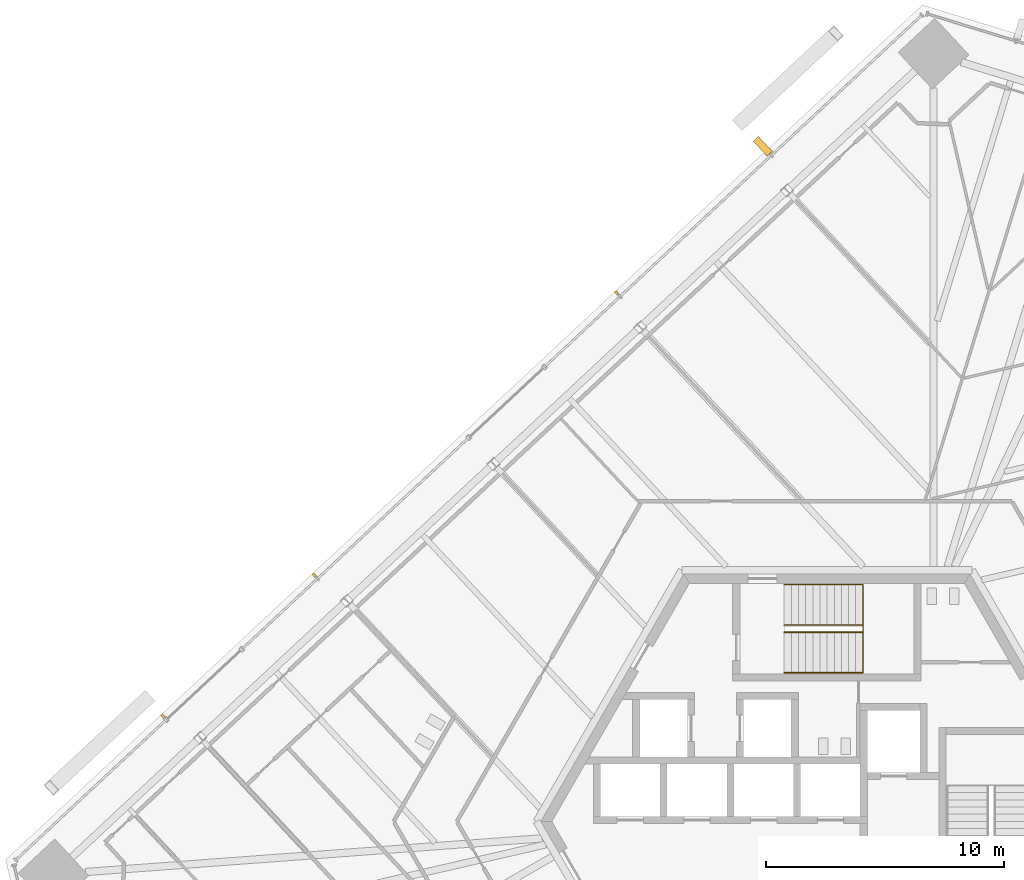
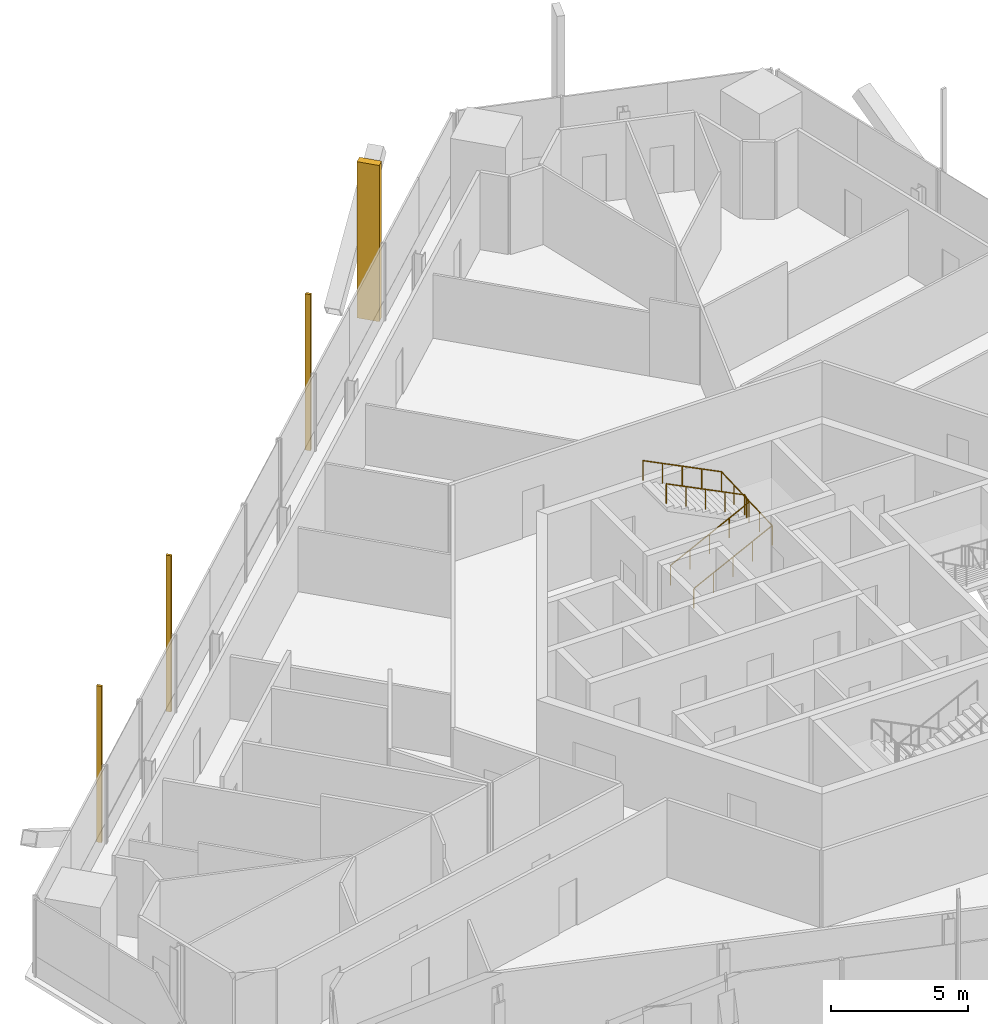
# One storey, part 20 of 24: 4 shading devices, 2 railings.
"""IFC4 building model written with IfcOpenShell, lengths in metres."""

from ifc_helpers import new_model, si_unit, direction, frame, origin, origin_2d, place, context, subcontext, project, spatial, rectangle, circle, extrude, source, transform, mapped, material, type_object, element, save


model = new_model("IFC4")

# Units and contexts
model_context = context("Model", 3, precision=1e-05, world=origin(), true_north=direction((0.0, 1.0)))
body_context = subcontext(model_context, "Body", "Model", "MODEL_VIEW")
ifc_project = project(units=[si_unit("LENGTHUNIT", "METRE"), si_unit("AREAUNIT", "SQUARE_METRE"), si_unit("VOLUMEUNIT", "CUBIC_METRE"), si_unit("PLANEANGLEUNIT", "RADIAN"), si_unit("MASSUNIT", "GRAM", prefix="KILO")], contexts=[model_context])

# Site, building, storey
site_placement = place(None, origin())
site = spatial("IfcSite", under=ifc_project, at=site_placement, CompositionType="ELEMENT")
building_placement = place(site_placement, origin())
building = spatial("IfcBuilding", under=site, at=building_placement, Name="Triune Harvest Tower", CompositionType="ELEMENT")
storey_placement = place(building_placement, frame((0.0, 0.0, 127.10009765625)))
storey = spatial("IfcBuildingStorey", under=building, at=storey_placement, Name="L32", CompositionType="ELEMENT", Elevation=127.10009765625)

# Railings
ifc_material_1 = material(Name="Stainless steel AISI 316", Category="steel")
railing_type = type_object("IfcRailingType", Name="Stair handrail", PredefinedType="HANDRAIL", material=ifc_material_1)
shared_shape_1 = source(origin(), body_context, "Body", "SweptSolid", [
    extrude(circle(Radius=0.02392578125, at=origin_2d()), frame((0.0, 0.0, 0.8759765625), z_axis=(0.894440424912, 0.0, 0.447187126696), x_axis=(0.0, 1.0, 0.0)), (0.0, 0.0, 1.0), 3.689453125),
    extrude(circle(Radius=0.02392578125, at=origin_2d()), frame((3.300048828125, 0.0, 2.52587890625), z_axis=(0.0, 0.999177620331, 0.040547293732), x_axis=(-1.0, 0.0, 0.0)), (0.0, 0.0, 1.0), 3.702880859375),
    extrude(circle(Radius=0.02392578125, at=origin_2d()), frame((3.300048828125, 3.699951171875, 2.67578125), z_axis=(-0.894440424912, 0.0, 0.447187126696), x_axis=(0.0, -1.0, 0.0)), (0.0, 0.0, 1.0), 3.689453125),
    extrude(circle(Radius=0.02099609375, at=origin_2d()), origin(), (0.0, 0.0, 1.0), 0.851806640625),
    extrude(circle(Radius=0.02099609375, at=origin_2d()), frame((0.824951171875, 0.0, 0.41259765625)), (0.0, 0.0, 1.0), 0.851806640625),
    extrude(circle(Radius=0.02099609375, at=origin_2d()), frame((1.64990234375, 0.0, 0.824951171875)), (0.0, 0.0, 1.0), 0.851806640625),
    extrude(circle(Radius=0.02099609375, at=origin_2d()), frame((2.47509765625, 0.0, 1.2373046875)), (0.0, 0.0, 1.0), 0.851806640625),
    extrude(circle(Radius=0.02099609375, at=origin_2d()), frame((3.300048828125, 0.0, 1.64990234375)), (0.0, 0.0, 1.0), 0.851806640625),
    extrude(circle(Radius=0.02099609375, at=origin_2d()), frame((3.300048828125, 0.925048828125, 1.6875)), (0.0, 0.0, 1.0), 0.851806640625),
    extrude(circle(Radius=0.02099609375, at=origin_2d()), frame((3.300048828125, 1.85009765625, 1.72509765625)), (0.0, 0.0, 1.0), 0.851806640625),
    extrude(circle(Radius=0.02099609375, at=origin_2d()), frame((3.300048828125, 2.77490234375, 1.762451171875)), (0.0, 0.0, 1.0), 0.851806640625),
    extrude(circle(Radius=0.02099609375, at=origin_2d()), frame((3.300048828125, 3.699951171875, 1.800048828125)), (0.0, 0.0, 1.0), 0.851806640625),
    extrude(circle(Radius=0.02099609375, at=origin_2d()), frame((2.47509765625, 3.699951171875, 2.21240234375)), (0.0, 0.0, 1.0), 0.851806640625),
    extrude(circle(Radius=0.02099609375, at=origin_2d()), frame((1.64990234375, 3.699951171875, 2.625)), (0.0, 0.0, 1.0), 0.851806640625),
    extrude(circle(Radius=0.02099609375, at=origin_2d()), frame((0.824951171875, 3.699951171875, 3.03759765625)), (0.0, 0.0, 1.0), 0.851806640625),
    extrude(circle(Radius=0.02099609375, at=origin_2d()), frame((0.0, 3.699951171875, 3.449951171875)), (0.0, 0.0, 1.0), 0.851806640625),
])
railing_1_placement = place(storey_placement, frame((-1.7900390625, 6.239990234375, 0.14990234375)))
element("IfcRailing", 1, at=railing_1_placement, inside=storey, type_object=railing_type, Name="Exit stair north wall handrail", PredefinedType="HANDRAIL", context=body_context, shape_type="MappedRepresentation", body=[
    mapped(shared_shape_1, transform((0.0, 0.0, 0.0), scale=1.0)),
])
shared_shape_2 = source(origin(), body_context, "Body", "SweptSolid", [
    extrude(circle(Radius=0.02392578125, at=origin_2d()), frame((0.0, 0.0, 0.8759765625), z_axis=(0.894440424912, 0.0, 0.447187126696), x_axis=(0.0, 1.0, 0.0)), (0.0, 0.0, 1.0), 3.689453125),
    extrude(circle(Radius=0.02392578125, at=origin_2d()), frame((3.300048828125, 0.0, 2.52587890625), z_axis=(0.0, 0.894281613681, 0.447504631744), x_axis=(-1.0, 0.0, 0.0)), (0.0, 0.0, 1.0), 0.33544921875),
    extrude(circle(Radius=0.02392578125, at=origin_2d()), frame((3.300048828125, 0.300048828125, 2.67578125), z_axis=(-0.894440424912, 0.0, 0.447187126696), x_axis=(0.0, -1.0, 0.0)), (0.0, 0.0, 1.0), 3.689453125),
    extrude(circle(Radius=0.02099609375, at=origin_2d()), origin(), (0.0, 0.0, 1.0), 0.851806640625),
    extrude(circle(Radius=0.02099609375, at=origin_2d()), frame((0.824951171875, 0.0, 0.41259765625)), (0.0, 0.0, 1.0), 0.851806640625),
    extrude(circle(Radius=0.02099609375, at=origin_2d()), frame((1.64990234375, 0.0, 0.824951171875)), (0.0, 0.0, 1.0), 0.851806640625),
    extrude(circle(Radius=0.02099609375, at=origin_2d()), frame((2.47509765625, 0.0, 1.2373046875)), (0.0, 0.0, 1.0), 0.851806640625),
    extrude(circle(Radius=0.02099609375, at=origin_2d()), frame((3.300048828125, 0.0, 1.64990234375)), (0.0, 0.0, 1.0), 0.851806640625),
    extrude(circle(Radius=0.02099609375, at=origin_2d()), frame((3.300048828125, 0.300048828125, 1.800048828125)), (0.0, 0.0, 1.0), 0.851806640625),
    extrude(circle(Radius=0.02099609375, at=origin_2d()), frame((2.47509765625, 0.300048828125, 2.21240234375)), (0.0, 0.0, 1.0), 0.851806640625),
    extrude(circle(Radius=0.02099609375, at=origin_2d()), frame((1.64990234375, 0.300048828125, 2.625)), (0.0, 0.0, 1.0), 0.851806640625),
    extrude(circle(Radius=0.02099609375, at=origin_2d()), frame((0.824951171875, 0.300048828125, 3.03759765625)), (0.0, 0.0, 1.0), 0.851806640625),
    extrude(circle(Radius=0.02099609375, at=origin_2d()), frame((0.0, 0.300048828125, 3.449951171875)), (0.0, 0.0, 1.0), 0.851806640625),
])
railing_2_placement = place(storey_placement, frame((-1.7900390625, 7.93994140625, 0.14990234375)))
element("IfcRailing", 2, at=railing_2_placement, inside=storey, type_object=railing_type, Name="Exit stair north centre handrail", PredefinedType="HANDRAIL", context=body_context, shape_type="MappedRepresentation", body=[
    mapped(shared_shape_2, transform((0.0, 0.0, 0.0), scale=1.0)),
])

# Shading devices
ifc_material_2 = material(Name="Aluminium bronze anodised", Category="aluminium")
shared_shape_3 = source(origin(), body_context, "Body", "SweptSolid", [
    extrude(rectangle(XDim=0.300048828125, YDim=0.85009765625, at=origin_2d()), origin(), (0.0, 0.0, 1.0), 6.949951171875),
])
shading_device_placement = place(storey_placement, frame((-2.68701171875, 28.326416015625, 0.0), z_axis=(0.0, 0.0, 1.0), x_axis=(-0.73135336394, -0.681998722179, 0.0)))
element("IfcShadingDevice", 3, at=shading_device_placement, inside=storey, material=ifc_material_2, Name="FN-2 fin B3-F3.3 L32", ObjectType="FIN", PredefinedType="USERDEFINED", context=body_context, shape_type="MappedRepresentation", body=[
    mapped(shared_shape_3, transform((0.0, 0.0, 0.0), scale=1.0)),
])
shared_shape_4 = source(origin(), body_context, "Body", "SweptSolid", [
    extrude(rectangle(XDim=0.10009765625, YDim=0.199951171875, at=origin_2d()), origin(), (0.0, 0.0, 1.0), 6.949951171875),
])
for number, where, z_axis, x_axis, name in (
    (4, (-8.81103515625, 22.17138671875, 0.0), (0.0, 0.0, 1.0), (-0.73135336394, -0.681998722179, 0.0), "FN-1 fin B3-F3.5 L32"),
    (5, (-21.502685546875, 10.336181640625, 0.0), (0.0, 0.0, 1.0), (-0.73135336394, -0.681998722179, 0.0), "FN-1 fin B3-F3.9 L32"),
    (6, (-27.848388671875, 4.418701171875, 0.0), (0.0, 0.0, 1.0), (-0.73135336394, -0.681998722179, 0.0), "FN-1 fin B3-F3.11 L32"),
):
    element("IfcShadingDevice", number, at=place(storey_placement, frame(where, z_axis=z_axis, x_axis=x_axis)), inside=storey, material=ifc_material_2, Name=name, ObjectType="FIN", PredefinedType="USERDEFINED", context=body_context, shape_type="MappedRepresentation", body=[
        mapped(shared_shape_4, transform((0.0, 0.0, 0.0), scale=1.0)),
    ])

save(model, "model.ifc")
